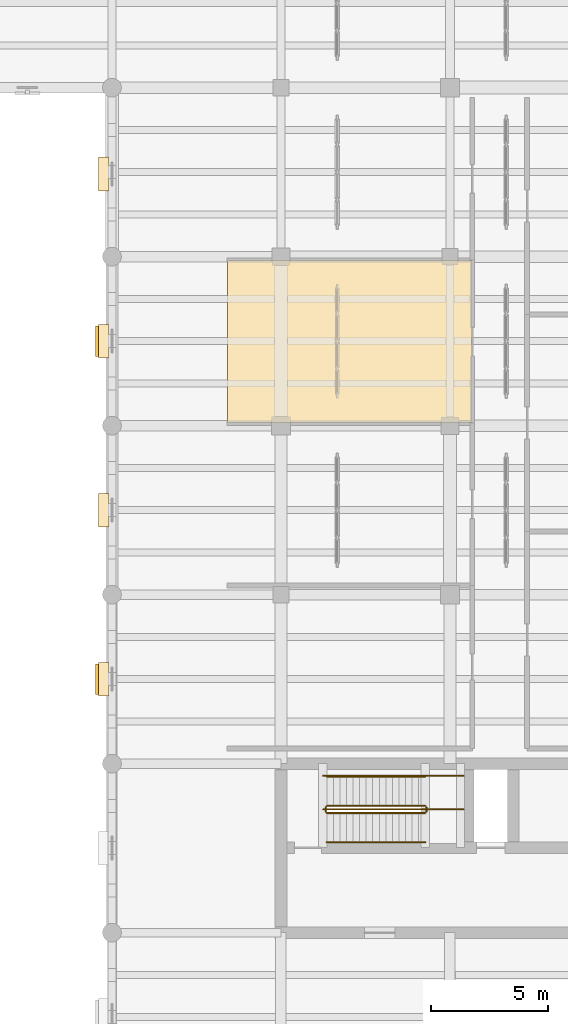
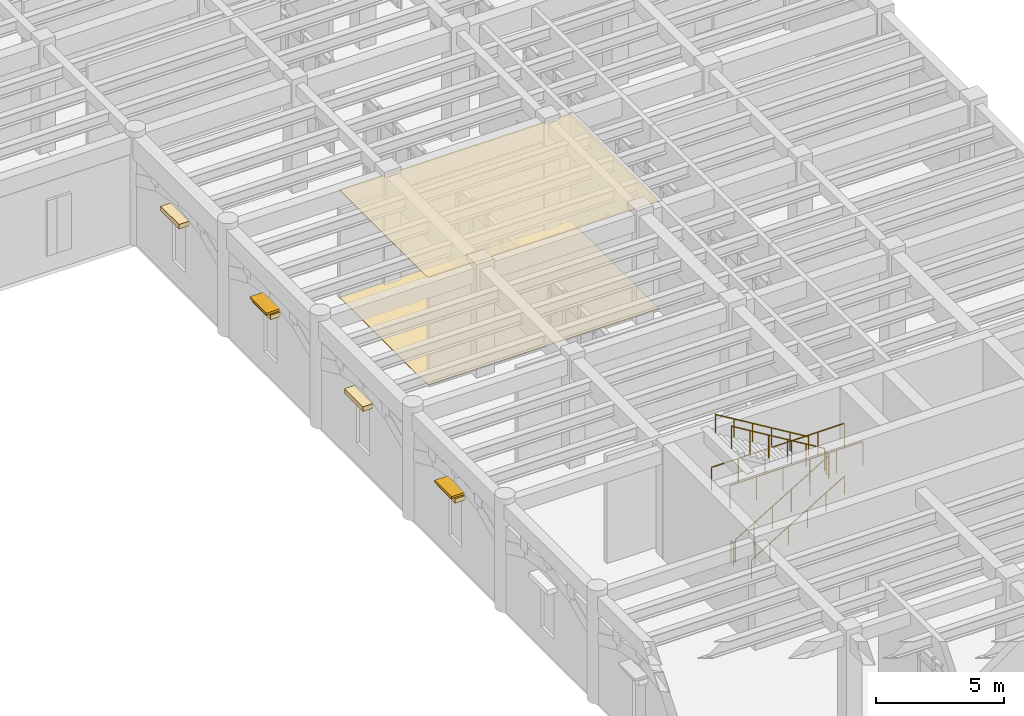
# One storey, part 97 of 100: 8 railings, 6 coverings, 2 shading devices.
"""IFC4 building model written with IfcOpenShell, lengths in metres."""

from ifc_helpers import new_model, si_unit, direction, frame, origin, origin_2d, place, context, subcontext, project, spatial, polyline, rectangle, circle, outline, extrude, material, layer, layer_set, type_object, element, save


model = new_model("IFC4")

# Units and contexts
model_context = context("Model", 3, precision=1e-05, world=origin(), true_north=direction((0.0, 1.0)))
body_context = subcontext(model_context, "Body", "Model", "MODEL_VIEW")
ifc_project = project(units=[si_unit("LENGTHUNIT", "METRE"), si_unit("AREAUNIT", "SQUARE_METRE"), si_unit("VOLUMEUNIT", "CUBIC_METRE"), si_unit("PLANEANGLEUNIT", "RADIAN"), si_unit("MASSUNIT", "GRAM", prefix="KILO")], contexts=[model_context])

# Site, building, storey
site_placement = place(None, origin())
site = spatial("IfcSite", under=ifc_project, at=site_placement, CompositionType="ELEMENT")
building_placement = place(site_placement, origin())
building = spatial("IfcBuilding", under=site, at=building_placement, Name="Mithqara Police Headquarters", CompositionType="ELEMENT")
storey_placement = place(building_placement, origin())
storey = spatial("IfcBuildingStorey", under=building, at=storey_placement, Name="L00", CompositionType="ELEMENT", Elevation=0.0)

# Covering
ifc_material_1 = material(Name="Acoustic mineral-fibre ceiling tile", Category="gypsum")
ifc_layer_1 = layer(ifc_material_1, 0.02490234375, Name="Acoustic mineral-fibre ceiling tile")
ifc_layer_set_1 = layer_set([ifc_layer_1], Name="Acoustic mineral-fibre ceiling tile")
covering_type_1 = type_object("IfcCoveringType", Name="ACOUSTIC CEILING TILE", PredefinedType="CEILING", material=ifc_layer_set_1)
covering_1_placement = place(storey_placement, frame((0.0, 0.0, 5.094970703125)))
element("IfcCovering", 1, at=covering_1_placement, inside=storey, type_object=covering_type_1, Name="Crime Scene Kit Preparation Room Acoustic Ceiling", PredefinedType="CEILING", context=body_context, shape_type="SweptSolid", body=[
    extrude(outline(polyline([(149.52001953125, 64.3349609375), (159.929931640625, 64.3349609375), (159.929931640625, 71.22802734375), (149.52001953125, 71.22802734375), (149.52001953125, 64.3349609375)])), origin(), (0.0, 0.0, 1.0), 0.025146484375),
])

# Railings
ifc_material_2 = material(Name="Steel S355JR", Category="steel")
railing_type_1 = type_object("IfcRailingType", Name="HANDRAIL 920", PredefinedType="HANDRAIL", material=ifc_material_2)
railing_1_placement = place(storey_placement, frame((153.75, 46.449951171875, 0.168701171875)))
element("IfcRailing", 2, at=railing_1_placement, inside=storey, type_object=railing_type_1, Name="L00 ST-04 stair handrail 1", PredefinedType="HANDRAIL", context=body_context, shape_type="SweptSolid", body=[
    extrude(circle(Radius=0.02392578125, at=origin_2d()), frame((0.0, 0.0, 0.8759765625), z_axis=(0.856476492594, 0.0, 0.516186030065), x_axis=(0.0, 1.0, 0.0)), (0.0, 0.0, 1.0), 4.90380859375),
    extrude(circle(Radius=0.02099609375, at=origin_2d()), origin(), (0.0, 0.0, 1.0), 0.851806640625),
    extrude(circle(Radius=0.02099609375, at=origin_2d()), frame((0.840087890625, 0.0, 0.50634765625)), (0.0, 0.0, 1.0), 0.851806640625),
    extrude(circle(Radius=0.02099609375, at=origin_2d()), frame((1.679931640625, 0.0, 1.012451171875)), (0.0, 0.0, 1.0), 0.851806640625),
    extrude(circle(Radius=0.02099609375, at=origin_2d()), frame((2.52001953125, 0.0, 1.518798828125)), (0.0, 0.0, 1.0), 0.851806640625),
    extrude(circle(Radius=0.02099609375, at=origin_2d()), frame((3.35986328125, 0.0, 2.02490234375)), (0.0, 0.0, 1.0), 0.851806640625),
    extrude(circle(Radius=0.02099609375, at=origin_2d()), frame((4.199951171875, 0.0, 2.53125)), (0.0, 0.0, 1.0), 0.851806640625),
])
railing_2_placement = place(storey_placement, frame((157.949951171875, 49.25, 2.86865234375)))
element("IfcRailing", 3, at=railing_2_placement, inside=storey, type_object=railing_type_1, Name="L00 ST-04 stair handrail 2", PredefinedType="HANDRAIL", context=body_context, shape_type="SweptSolid", body=[
    extrude(circle(Radius=0.02392578125, at=origin_2d()), frame((0.0, 0.0, 0.8759765625), z_axis=(-0.856476492594, 0.0, 0.516186030065), x_axis=(0.0, -1.0, 0.0)), (0.0, 0.0, 1.0), 4.90380859375),
    extrude(circle(Radius=0.02099609375, at=origin_2d()), origin(), (0.0, 0.0, 1.0), 0.851806640625),
    extrude(circle(Radius=0.02099609375, at=origin_2d()), frame((-0.840087890625, 0.0, 0.50634765625)), (0.0, 0.0, 1.0), 0.851806640625),
    extrude(circle(Radius=0.02099609375, at=origin_2d()), frame((-1.679931640625, 0.0, 1.012451171875)), (0.0, 0.0, 1.0), 0.851806640625),
    extrude(circle(Radius=0.02099609375, at=origin_2d()), frame((-2.52001953125, 0.0, 1.518798828125)), (0.0, 0.0, 1.0), 0.851806640625),
    extrude(circle(Radius=0.02099609375, at=origin_2d()), frame((-3.35986328125, 0.0, 2.02490234375)), (0.0, 0.0, 1.0), 0.851806640625),
    extrude(circle(Radius=0.02099609375, at=origin_2d()), frame((-4.199951171875, 0.0, 2.53125)), (0.0, 0.0, 1.0), 0.851806640625),
])

# Shading devices
ifc_material_3 = material(Name="Bronze anodised aluminium 6063-T6", Category="aluminium")
shading_device_type = type_object("IfcShadingDeviceType", Name="SOLAR LOUVRE BRONZE", PredefinedType="JALOUSIE", material=ifc_material_3)
for number, where, z_axis, x_axis, name in (
    (4, (144.18994140625, 53.39990234375, 3.58984375), (0.0, 0.0, 1.0), (0.0, 1.0, 0.0), "L00 Window Solar Louvre Hood 4.3"),
    (5, (144.18994140625, 67.800048828125, 3.58984375), (0.0, 0.0, 1.0), (0.0, 1.0, 0.0), "L00 Window Solar Louvre Hood 4.5"),
):
    element("IfcShadingDevice", number, at=place(storey_placement, frame(where, z_axis=z_axis, x_axis=x_axis)), inside=storey, type_object=shading_device_type, Name=name, PredefinedType="JALOUSIE", context=body_context, shape_type="SweptSolid", body=[
        extrude(rectangle(XDim=1.300048828125, YDim=0.60009765625, at=origin_2d()), origin(), (0.0, 0.0, 1.0), 0.10009765625),
    ])

# Railings
railing_type_2 = type_object("IfcRailingType", Name="STAIR GUARD 1120", PredefinedType="GUARDRAIL", material=ifc_material_2)
railing_3_placement = place(storey_placement, frame((153.75, 47.699951171875, 0.168701171875)))
element("IfcRailing", 6, at=railing_3_placement, inside=storey, type_object=railing_type_2, Name="L00 ST-04 stair guard 1", PredefinedType="GUARDRAIL", context=body_context, shape_type="SweptSolid", body=[
    extrude(circle(Radius=0.02392578125, at=origin_2d()), frame((0.0, 0.0, 1.076171875), z_axis=(0.856476492594, 0.0, 0.516186030065), x_axis=(0.0, 1.0, 0.0)), (0.0, 0.0, 1.0), 4.90380859375),
    extrude(circle(Radius=0.02099609375, at=origin_2d()), origin(), (0.0, 0.0, 1.0), 1.052001953125),
    extrude(circle(Radius=0.02099609375, at=origin_2d()), frame((0.840087890625, 0.0, 0.50634765625)), (0.0, 0.0, 1.0), 1.052001953125),
    extrude(circle(Radius=0.02099609375, at=origin_2d()), frame((1.679931640625, 0.0, 1.012451171875)), (0.0, 0.0, 1.0), 1.052001953125),
    extrude(circle(Radius=0.02099609375, at=origin_2d()), frame((2.52001953125, 0.0, 1.518798828125)), (0.0, 0.0, 1.0), 1.052001953125),
    extrude(circle(Radius=0.02099609375, at=origin_2d()), frame((3.35986328125, 0.0, 2.02490234375)), (0.0, 0.0, 1.0), 1.052001953125),
    extrude(circle(Radius=0.02099609375, at=origin_2d()), frame((4.199951171875, 0.0, 2.53125)), (0.0, 0.0, 1.0), 1.052001953125),
])
railing_4_placement = place(storey_placement, frame((158.0, 47.75, 2.699951171875)))
element("IfcRailing", 7, at=railing_4_placement, inside=storey, type_object=railing_type_2, Name="L00 ST-04 stair guard 2", PredefinedType="GUARDRAIL", context=body_context, shape_type="SweptSolid", body=[
    extrude(circle(Radius=0.02392578125, at=origin_2d()), frame((0.0, 0.0, 1.076171875), z_axis=(0.0, 1.0, 0.0), x_axis=(-1.0, 0.0, 0.0)), (0.0, 0.0, 1.0), 0.199951171875),
    extrude(circle(Radius=0.02099609375, at=origin_2d()), origin(), (0.0, 0.0, 1.0), 1.052001953125),
    extrude(circle(Radius=0.02099609375, at=origin_2d()), frame((0.0, 0.199951171875, 0.0)), (0.0, 0.0, 1.0), 1.052001953125),
])
railing_5_placement = place(storey_placement, frame((157.949951171875, 48.0, 2.86865234375)))
element("IfcRailing", 8, at=railing_5_placement, inside=storey, type_object=railing_type_2, Name="L00 ST-04 stair guard 3", PredefinedType="GUARDRAIL", context=body_context, shape_type="SweptSolid", body=[
    extrude(circle(Radius=0.02392578125, at=origin_2d()), frame((0.0, 0.0, 1.076171875), z_axis=(-0.856476492594, 0.0, 0.516186030065), x_axis=(0.0, -1.0, 0.0)), (0.0, 0.0, 1.0), 4.90380859375),
    extrude(circle(Radius=0.02099609375, at=origin_2d()), origin(), (0.0, 0.0, 1.0), 1.052001953125),
    extrude(circle(Radius=0.02099609375, at=origin_2d()), frame((-0.840087890625, 0.0, 0.50634765625)), (0.0, 0.0, 1.0), 1.052001953125),
    extrude(circle(Radius=0.02099609375, at=origin_2d()), frame((-1.679931640625, 0.0, 1.012451171875)), (0.0, 0.0, 1.0), 1.052001953125),
    extrude(circle(Radius=0.02099609375, at=origin_2d()), frame((-2.52001953125, 0.0, 1.518798828125)), (0.0, 0.0, 1.0), 1.052001953125),
    extrude(circle(Radius=0.02099609375, at=origin_2d()), frame((-3.35986328125, 0.0, 2.02490234375)), (0.0, 0.0, 1.0), 1.052001953125),
    extrude(circle(Radius=0.02099609375, at=origin_2d()), frame((-4.199951171875, 0.0, 2.53125)), (0.0, 0.0, 1.0), 1.052001953125),
])
railing_6_placement = place(storey_placement, frame((153.699951171875, 47.75, 0.0)))
element("IfcRailing", 9, at=railing_6_placement, inside=storey, type_object=railing_type_2, Name="L00 ST-04 stair guard 4", PredefinedType="GUARDRAIL", context=body_context, shape_type="SweptSolid", body=[
    extrude(circle(Radius=0.02392578125, at=origin_2d()), frame((0.0, 0.0, 1.076171875), z_axis=(0.0, 1.0, 0.0), x_axis=(-1.0, 0.0, 0.0)), (0.0, 0.0, 1.0), 0.199951171875),
    extrude(circle(Radius=0.02099609375, at=origin_2d()), origin(), (0.0, 0.0, 1.0), 1.052001953125),
    extrude(circle(Radius=0.02099609375, at=origin_2d()), frame((0.0, 0.199951171875, 0.0)), (0.0, 0.0, 1.0), 1.052001953125),
])
for number, where, name in (
    (10, (153.60009765625, 47.85009765625, 2.699951171875), "L00 ST-04 Half-Landing Guard IN"),
    (11, (153.60009765625, 49.280029296875, 2.699951171875), "L00 ST-04 Half-Landing Guard OUT"),
):
    element("IfcRailing", number, at=place(storey_placement, frame(where)), inside=storey, type_object=railing_type_2, Name=name, PredefinedType="GUARDRAIL", context=body_context, shape_type="SweptSolid", body=[
        extrude(circle(Radius=0.02392578125, at=origin_2d()), frame((0.0, 0.0, 1.09619140625), z_axis=(1.0, 0.0, 0.0), x_axis=(0.0, 1.0, 0.0)), (0.0, 0.0, 1.0), 5.97998046875),
        extrude(circle(Radius=0.02099609375, at=origin_2d()), origin(), (0.0, 0.0, 1.0), 1.072021484375),
        extrude(circle(Radius=0.02099609375, at=origin_2d()), frame((1.196044921875, 0.0, 0.0)), (0.0, 0.0, 1.0), 1.072021484375),
        extrude(circle(Radius=0.02099609375, at=origin_2d()), frame((2.39208984375, 0.0, 0.0)), (0.0, 0.0, 1.0), 1.072021484375),
        extrude(circle(Radius=0.02099609375, at=origin_2d()), frame((3.587890625, 0.0, 0.0)), (0.0, 0.0, 1.0), 1.072021484375),
        extrude(circle(Radius=0.02099609375, at=origin_2d()), frame((4.783935546875, 0.0, 0.0)), (0.0, 0.0, 1.0), 1.072021484375),
        extrude(circle(Radius=0.02099609375, at=origin_2d()), frame((5.97998046875, 0.0, 0.0)), (0.0, 0.0, 1.0), 1.072021484375),
    ])

# Coverings
ifc_material_4 = material(Name="Polished limestone terrazzo flooring", Category="masonry")
ifc_layer_2 = layer(ifc_material_4, 0.02001953125, Name="Polished limestone terrazzo flooring")
ifc_layer_set_2 = layer_set([ifc_layer_2], Name="Polished limestone terrazzo flooring")
covering_type_2 = type_object("IfcCoveringType", Name="TERRAZZO FLOOR FINISH", PredefinedType="FLOORING", material=ifc_layer_set_2)
covering_2_placement = place(storey_placement, origin())
element("IfcCovering", 12, at=covering_2_placement, inside=storey, type_object=covering_type_2, Name="Crime Scene Kit Preparation Room Terrazzo Floor Finish", PredefinedType="FLOORING", context=body_context, shape_type="SweptSolid", body=[
    extrude(outline(polyline([(149.52001953125, 64.3349609375), (159.929931640625, 64.3349609375), (159.929931640625, 71.22802734375), (149.52001953125, 71.22802734375), (149.52001953125, 64.3349609375)])), origin(), (0.0, 0.0, 1.0), 0.02001953125),
])
ifc_material_5 = material(Name="Limestone ashlar masonry, 45 MPa", Category="masonry")
ifc_layer_3 = layer(ifc_material_5, 0.239990234375, Name="Limestone ashlar masonry, 45 MPa")
ifc_layer_set_3 = layer_set([ifc_layer_3], Name="Limestone ashlar masonry, 45 MPa")
covering_type_3 = type_object("IfcCoveringType", Name="WINDOW HOOD LIMESTONE", PredefinedType="CLADDING", material=ifc_layer_set_3)
for number, where, z_axis, x_axis, name in (
    (13, (144.25, 53.39990234375, 3.3701171875), (0.0, 0.0, 1.0), (0.0, 1.0, 0.0), "L00 Limestone Window Architrave Hood 4.3"),
    (14, (144.25, 60.60009765625, 3.3701171875), (0.0, 0.0, 1.0), (0.0, 1.0, 0.0), "L00 Limestone Window Architrave Hood 4.4"),
    (15, (144.25, 67.800048828125, 3.3701171875), (0.0, 0.0, 1.0), (0.0, 1.0, 0.0), "L00 Limestone Window Architrave Hood 4.5"),
    (16, (144.25, 74.919921875, 3.3701171875), (0.0, 0.0, 1.0), (0.0, 1.0, 0.0), "L00 Limestone Window Architrave Hood 4.6"),
):
    element("IfcCovering", number, at=place(storey_placement, frame(where, z_axis=z_axis, x_axis=x_axis)), inside=storey, type_object=covering_type_3, Name=name, PredefinedType="CLADDING", context=body_context, shape_type="SweptSolid", body=[
        extrude(rectangle(XDim=1.43994140625, YDim=0.4599609375, at=origin_2d()), origin(), (0.0, 0.0, 1.0), 0.219970703125),
    ])

save(model, "model.ifc")
